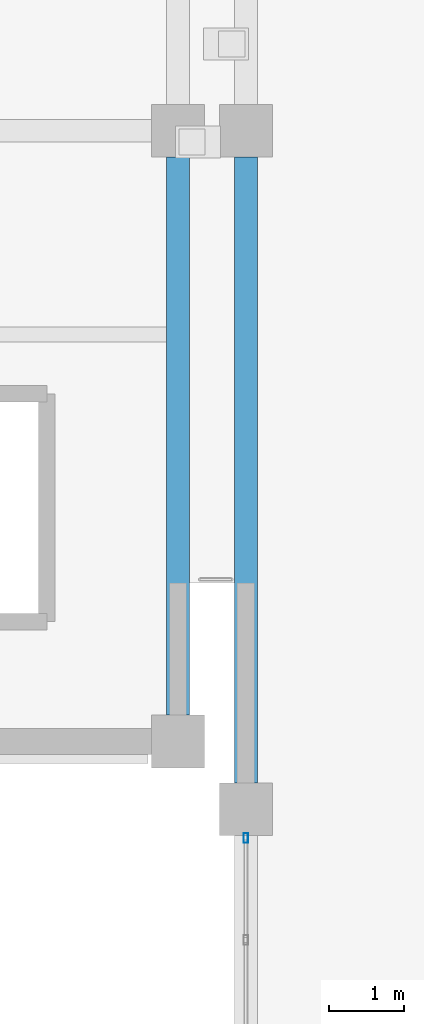
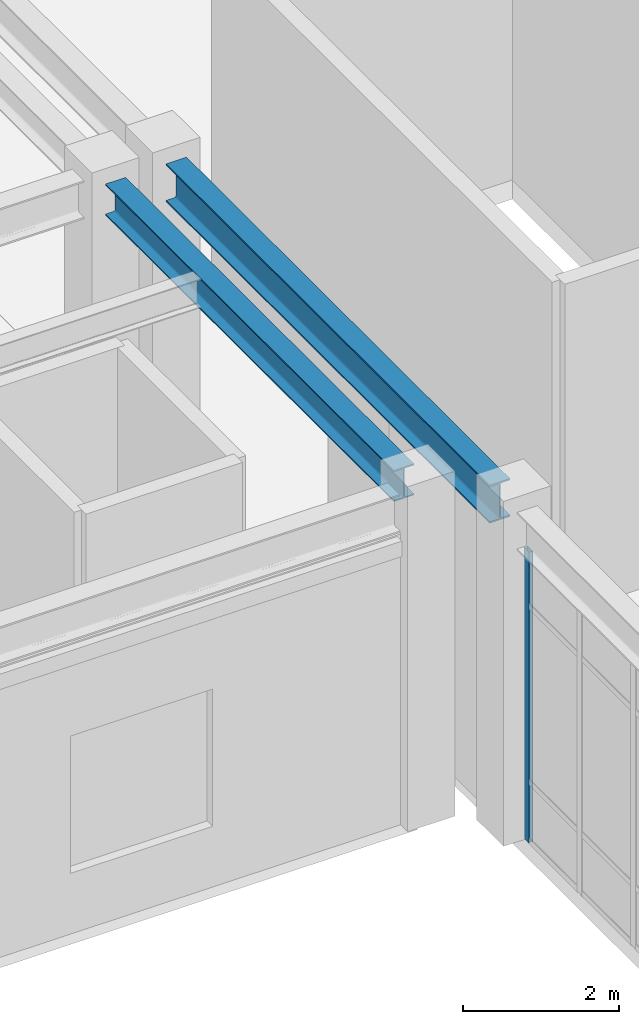
# One storey, part 37 of 80: 2 beams, 1 member, 1 element without a shape of its own.
"""IFC4 building model written with IfcOpenShell, lengths in metres."""

from ifc_helpers import new_model, si_unit, direction, frame, origin, origin_2d, place, context, subcontext, project, spatial, hollow_rectangle, i_section, extrude, material, material_profile, profile_set, type_object, element, aggregate, save


model = new_model("IFC4")

# Units and contexts
model_context = context("Model", 3, precision=1e-05, world=origin(), true_north=direction((0.0, 1.0)))
body_context = subcontext(model_context, "Body", "Model", "MODEL_VIEW")
ifc_project = project(units=[si_unit("LENGTHUNIT", "METRE"), si_unit("AREAUNIT", "SQUARE_METRE"), si_unit("VOLUMEUNIT", "CUBIC_METRE"), si_unit("PLANEANGLEUNIT", "RADIAN"), si_unit("MASSUNIT", "GRAM", prefix="KILO")], contexts=[model_context])

# Site, building, storey
site_placement = place(None, origin())
site = spatial("IfcSite", under=ifc_project, at=site_placement, CompositionType="ELEMENT")
building_placement = place(site_placement, origin())
building = spatial("IfcBuilding", under=site, at=building_placement, Name="Canglan Escarpment Cableway Terminal", CompositionType="ELEMENT")
storey_placement = place(building_placement, frame((0.0, 0.0, 19.199951171875)))
storey = spatial("IfcBuildingStorey", under=building, at=storey_placement, Name="L04", CompositionType="ELEMENT", Elevation=19.199951171875)

# Beams
ifc_material_1 = material(Name="Steel Q355B", Category="steel")
ifc_material_profile_1 = material_profile(ifc_material_1, i_section(OverallWidth=0.300048828125, OverallDepth=0.488037109375, WebThickness=0.010986328125, FlangeThickness=0.01806640625, FilletRadius=0.02587890625, at=origin_2d()), Name="HM 488x300x11x18")
ifc_profile_set_1 = profile_set([ifc_material_profile_1], Name="Steel Q355B")
beam_type_1 = type_object("IfcBeamType", Name="BM-HM488", PredefinedType="BEAM", material=ifc_profile_set_1)
beam_1_placement = place(storey_placement, frame((136.699951171875, 89.25, 4.916015625), z_axis=(0.0, 1.0, 0.0), x_axis=(-1.0, 0.0, 0.0)))
element("IfcBeam", 1, at=beam_1_placement, inside=storey, type_object=beam_type_1, Name="Primary transverse girder B-09", PredefinedType="BEAM", context=body_context, shape_type="SweptSolid", body=[
    extrude(i_section(OverallWidth=0.300048828125, OverallDepth=0.488037109375, WebThickness=0.010986328125, FlangeThickness=0.01806640625, FilletRadius=0.02587890625, at=origin_2d()), origin(), (0.0, 0.0, 1.0), 7.39990234375),
])
ifc_material_2 = material(Name="Steel Q355C", Category="steel")
ifc_material_profile_2 = material_profile(ifc_material_2, i_section(OverallWidth=0.302001953125, OverallDepth=0.593994140625, WebThickness=0.013916015625, FlangeThickness=0.02294921875, FilletRadius=0.028076171875, at=origin_2d()), Name="HM 594x302x14x23")
ifc_profile_set_2 = profile_set([ifc_material_profile_2], Name="Steel Q355C")
beam_type_2 = type_object("IfcBeamType", Name="BM-HM594", PredefinedType="BEAM", material=ifc_profile_set_2)
beam_2_placement = place(storey_placement, frame((137.60009765625, 88.35009765625, 4.863037109375), z_axis=(0.0, 1.0, 0.0), x_axis=(-1.0, 0.0, 0.0)))
element("IfcBeam", 2, at=beam_2_placement, inside=storey, type_object=beam_type_2, Name="Primary transverse girder B-07", PredefinedType="BEAM", context=body_context, shape_type="SweptSolid", body=[
    extrude(i_section(OverallWidth=0.302001953125, OverallDepth=0.593994140625, WebThickness=0.013916015625, FlangeThickness=0.02294921875, FilletRadius=0.028076171875, at=origin_2d()), origin(), (0.0, 0.0, 1.0), 8.2998046875),
])

# Curtain wall, member
ifc_material_3 = material(Name="Anodized bronze aluminium and Low-E double glazing", Category="aluminium")
curtain_wall_type = type_object("IfcCurtainWallType", Name="CW-BAY-8300x4550", PredefinedType="NOTDEFINED", material=ifc_material_3)
curtain_wall_placement = place(storey_placement, origin())
curtain_wall = element("IfcCurtainWall", 3, at=curtain_wall_placement, inside=storey, type_object=curtain_wall_type, Name="Classical bay-between-piers glazed curtain wall CW-64", PredefinedType="NOTDEFINED")
ifc_material_4 = material(Name="Thermally broken anodized aluminium 6063-T6", Category="aluminium")
ifc_material_profile_3 = material_profile(ifc_material_4, hollow_rectangle(XDim=0.06005859375, YDim=0.1298828125, WallThickness=0.0029296875, InnerFilletRadius=0.0029296875, OuterFilletRadius=0.006103515625, at=origin_2d()), Name="ALU-MULL 60x130x3")
ifc_profile_set_3 = profile_set([ifc_material_profile_3], Name="Thermally broken anodized aluminium 6063-T6")
member_type = type_object("IfcMemberType", Name="CWM-01", PredefinedType="MULLION", material=ifc_profile_set_3)
member_placement = place(storey_placement, frame((137.60009765625, 87.6201171875, 0.0), z_axis=(0.0, 0.0, 1.0), x_axis=(1.0, 0.0, 0.0)))
member = element("IfcMember", 4, at=member_placement, type_object=member_type, Name="CW-64 mullion 1", PredefinedType="MULLION", context=body_context, shape_type="SweptSolid", body=[
    extrude(hollow_rectangle(XDim=0.06005859375, YDim=0.1298828125, WallThickness=0.0029296875, InnerFilletRadius=0.0029296875, OuterFilletRadius=0.006103515625, at=origin_2d()), origin(), (0.0, 0.0, 1.0), 4.551025390625),
])
aggregate(curtain_wall, [member])

save(model, "model.ifc")
